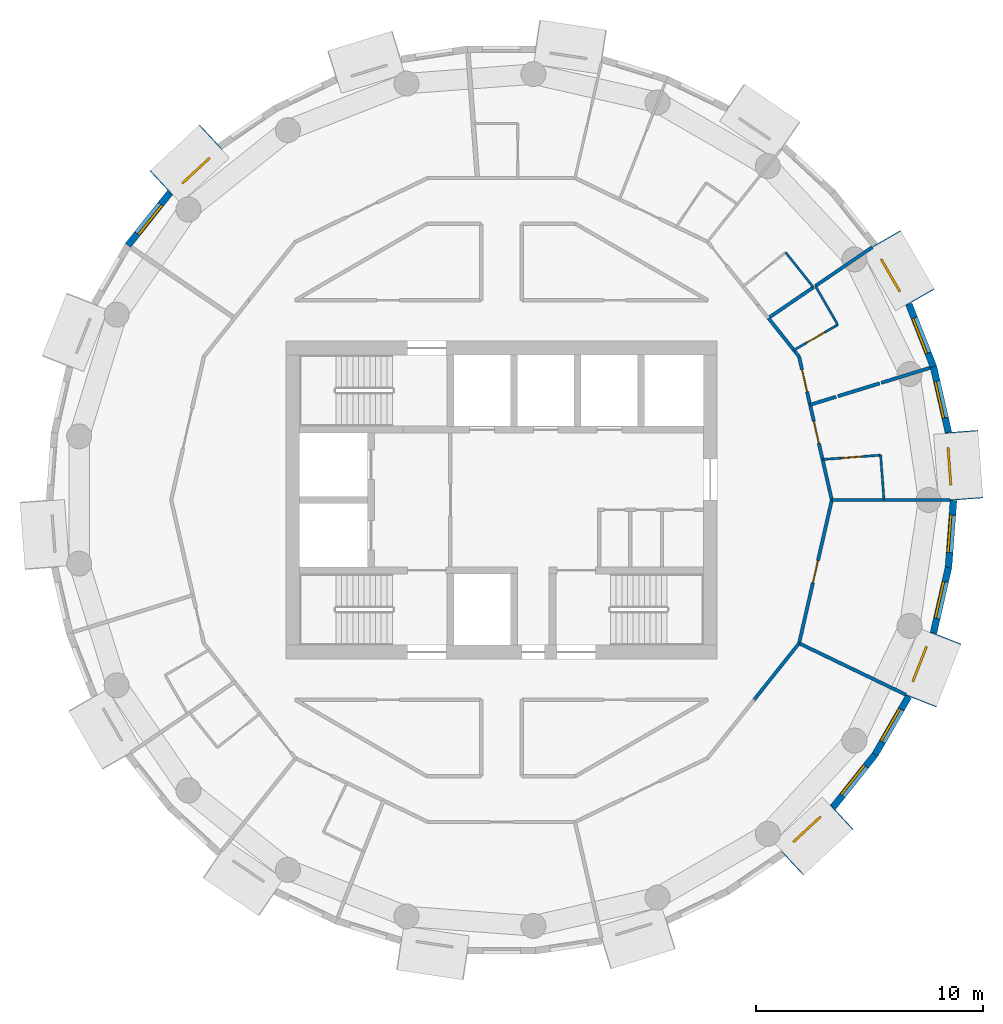
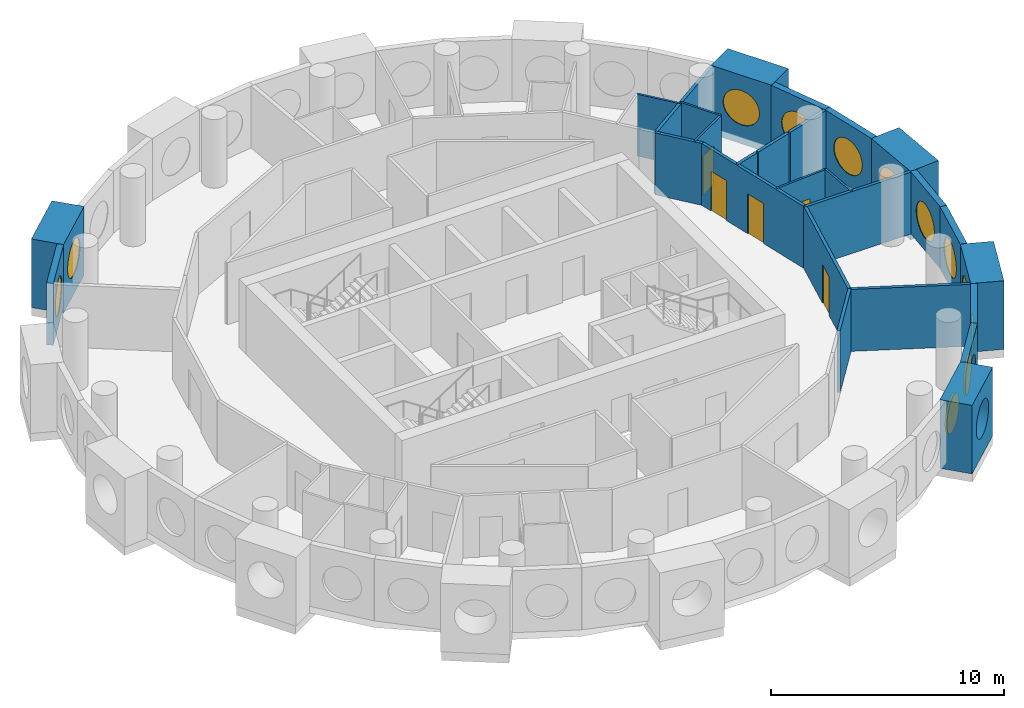
# One storey, part 10 of 13: 28 walls, 12 windows, 5 doors, 17 openings.
"""IFC4 building model written with IfcOpenShell, lengths in metres."""

from ifc_helpers import new_model, si_unit, direction, frame, frame_2d, origin, origin_2d, place, context, subcontext, project, spatial, rectangle, circle, extrude, material, layer, layer_set, type_object, element, fill, save


model = new_model("IFC4")

# Units and contexts
model_context = context("Model", 3, precision=1e-05, world=origin(), true_north=direction((0.0, 1.0)))
body_context = subcontext(model_context, "Body", "Model", "MODEL_VIEW")
ifc_project = project(units=[si_unit("LENGTHUNIT", "METRE"), si_unit("AREAUNIT", "SQUARE_METRE"), si_unit("VOLUMEUNIT", "CUBIC_METRE"), si_unit("PLANEANGLEUNIT", "RADIAN"), si_unit("MASSUNIT", "GRAM", prefix="KILO")], contexts=[model_context])

# Site, building, storey
site_placement = place(None, origin())
site = spatial("IfcSite", under=ifc_project, at=site_placement, CompositionType="ELEMENT")
building_placement = place(site_placement, origin())
building = spatial("IfcBuilding", under=site, at=building_placement, Name="Tracery Tower", CompositionType="ELEMENT")
storey_placement = place(building_placement, frame((0.0, 0.0, 252.60009765625)))
storey = spatial("IfcBuildingStorey", under=building, at=storey_placement, Name="L65", CompositionType="ELEMENT", Elevation=252.60009765625)

# Wall, opening, window
ifc_material_1 = material(Name="Precast concrete C50/60", Category="concrete")
ifc_layer_1 = layer(ifc_material_1, 1.449951171875)
ifc_layer_set_1 = layer_set([ifc_layer_1], Name="Deep-set bay unit 3000 x 3600, slab edge 350")
wall_type_1 = type_object("IfcWallType", Name="Deep-set bay unit 3000 x 3600, slab edge 350", PredefinedType="ELEMENTEDWALL", material=ifc_layer_set_1)
wall_1_placement = place(storey_placement, frame((20.49609375, 0.03173828125, -0.35009765625), z_axis=(0.0, 0.0, 1.0), x_axis=(-0.074785902127, 0.997199613339, 0.0)))
wall_1 = element("IfcWall", 1, at=wall_1_placement, inside=storey, type_object=wall_type_1, Name="Deep-set bay unit 1 at L65", PredefinedType="ELEMENTEDWALL", context=body_context, shape_type="SweptSolid", body=[
    extrude(rectangle(XDim=3.0, YDim=1.449951171875, at=frame_2d((1.5, 0.0))), origin(), (0.0, 0.0, 1.0), 3.60009765625),
])
opening_1_placement = place(wall_1_placement, frame((1.5, 0.0, 1.89990234375)))
opening_1 = element("IfcOpeningElement", 2, at=opening_1_placement, cuts=wall_1, Name="Opening WN1", PredefinedType="OPENING", context=body_context, shape_type="SweptSolid", body=[
    extrude(circle(Radius=0.9000244140625, at=origin_2d()), frame((0.0, 0.73486328125, 0.0), z_axis=(0.0, -1.0, 0.0), x_axis=(1.0, 0.0, 0.0)), (0.0, 0.0, 1.0), 1.469970703125),
])
ifc_material_2 = material(Name="Aluminium frame with tinted double glazing", Category="aluminium")
window_type = type_object("IfcWindowType", Name="Round window 1800", PartitioningType="SINGLE_PANEL", PredefinedType="WINDOW", material=ifc_material_2)
window_1_placement = place(opening_1_placement, origin())
window_1 = element("IfcWindow", 3, at=window_1_placement, inside=storey, type_object=window_type, Name="Round window 1 at L65", OverallHeight=1.800048828125, OverallWidth=1.800048828125, PartitioningType="SINGLE_PANEL", PredefinedType="WINDOW", context=body_context, shape_type="SweptSolid", body=[
    extrude(circle(Radius=0.9000244140625, at=origin_2d()), frame((0.0, 0.69482421875, 0.0), z_axis=(0.0, -1.0, 0.0), x_axis=(1.0, 0.0, 0.0)), (0.0, 0.0, 1.0), 0.10009765625),
])
fill(opening_1, window_1)

wall_2_placement = place(storey_placement, frame((18.452392578125, 8.92138671875, -0.35009765625), z_axis=(0.0, 0.0, 1.0), x_axis=(-0.499990139034, 0.866031096941, 0.0)))
wall_2 = element("IfcWall", 4, at=wall_2_placement, inside=storey, type_object=wall_type_1, Name="Deep-set bay unit 4 at L65", PredefinedType="ELEMENTEDWALL", context=body_context, shape_type="SweptSolid", body=[
    extrude(rectangle(XDim=3.0, YDim=1.449951171875, at=frame_2d((1.5, 0.0))), origin(), (0.0, 0.0, 1.0), 3.60009765625),
])
opening_2_placement = place(wall_2_placement, frame((1.5, 0.0, 1.89990234375)))
opening_2 = element("IfcOpeningElement", 5, at=opening_2_placement, cuts=wall_2, Name="Opening WN1", PredefinedType="OPENING", context=body_context, shape_type="SweptSolid", body=[
    extrude(circle(Radius=0.9000244140625, at=origin_2d()), frame((0.0, 0.73486328125, 0.0), z_axis=(0.0, -1.0, 0.0), x_axis=(1.0, 0.0, 0.0)), (0.0, 0.0, 1.0), 1.469970703125),
])
window_2_placement = place(opening_2_placement, origin())
window_2 = element("IfcWindow", 6, at=window_2_placement, inside=storey, type_object=window_type, Name="Round window 4 at L65", OverallHeight=1.800048828125, OverallWidth=1.800048828125, PartitioningType="SINGLE_PANEL", PredefinedType="WINDOW", context=body_context, shape_type="SweptSolid", body=[
    extrude(circle(Radius=0.9000244140625, at=origin_2d()), frame((0.0, 0.69482421875, 0.0), z_axis=(0.0, -1.0, 0.0), x_axis=(1.0, 0.0, 0.0)), (0.0, 0.0, 1.0), 0.10009765625),
])
fill(opening_2, window_2)

wall_3_placement = place(storey_placement, frame((-12.803955078125, 16.004638671875, -0.35009765625), z_axis=(0.0, 0.0, 1.0), x_axis=(-0.733022439167, -0.680204457261, 0.0)))
wall_3 = element("IfcWall", 7, at=wall_3_placement, inside=storey, type_object=wall_type_1, Name="Deep-set bay unit 16 at L65", PredefinedType="ELEMENTEDWALL", context=body_context, shape_type="SweptSolid", body=[
    extrude(rectangle(XDim=2.999755859375, YDim=1.449951171875, at=frame_2d((1.5, 0.0))), origin(), (0.0, 0.0, 1.0), 3.60009765625),
])
opening_3_placement = place(wall_3_placement, frame((1.5, 0.0, 1.89990234375)))
opening_3 = element("IfcOpeningElement", 8, at=opening_3_placement, cuts=wall_3, Name="Opening WN1", PredefinedType="OPENING", context=body_context, shape_type="SweptSolid", body=[
    extrude(circle(Radius=0.9000244140625, at=origin_2d()), frame((0.0, 0.73486328125, 0.0), z_axis=(0.0, -1.0, 0.0), x_axis=(1.0, 0.0, 0.0)), (0.0, 0.0, 1.0), 1.469970703125),
])
window_3_placement = place(opening_3_placement, origin())
window_3 = element("IfcWindow", 9, at=window_3_placement, inside=storey, type_object=window_type, Name="Round window 16 at L65", OverallHeight=1.800048828125, OverallWidth=1.800048828125, PartitioningType="SINGLE_PANEL", PredefinedType="WINDOW", context=body_context, shape_type="SweptSolid", body=[
    extrude(circle(Radius=0.9000244140625, at=origin_2d()), frame((0.0, 0.69482421875, 0.0), z_axis=(0.0, -1.0, 0.0), x_axis=(1.0, 0.0, 0.0)), (0.0, 0.0, 1.0), 0.10009765625),
])
fill(opening_3, window_3)

wall_4_placement = place(storey_placement, frame((12.803955078125, -16.004638671875, -0.35009765625), z_axis=(0.0, 0.0, 1.0), x_axis=(0.733022439167, 0.680204457261, 0.0)))
wall_4 = element("IfcWall", 10, at=wall_4_placement, inside=storey, type_object=wall_type_1, Name="Deep-set bay unit 37 at L65", PredefinedType="ELEMENTEDWALL", context=body_context, shape_type="SweptSolid", body=[
    extrude(rectangle(XDim=2.999755859375, YDim=1.449951171875, at=frame_2d((1.5, 0.0))), origin(), (0.0, 0.0, 1.0), 3.60009765625),
])
opening_4_placement = place(wall_4_placement, frame((1.5, 0.0, 1.89990234375)))
opening_4 = element("IfcOpeningElement", 11, at=opening_4_placement, cuts=wall_4, Name="Opening WN1", PredefinedType="OPENING", context=body_context, shape_type="SweptSolid", body=[
    extrude(circle(Radius=0.9000244140625, at=origin_2d()), frame((0.0, 0.73486328125, 0.0), z_axis=(0.0, -1.0, 0.0), x_axis=(1.0, 0.0, 0.0)), (0.0, 0.0, 1.0), 1.469970703125),
])
window_4_placement = place(opening_4_placement, origin())
window_4 = element("IfcWindow", 12, at=window_4_placement, inside=storey, type_object=window_type, Name="Round window 37 at L65", OverallHeight=1.800048828125, OverallWidth=1.800048828125, PartitioningType="SINGLE_PANEL", PredefinedType="WINDOW", context=body_context, shape_type="SweptSolid", body=[
    extrude(circle(Radius=0.9000244140625, at=origin_2d()), frame((0.0, 0.69482421875, 0.0), z_axis=(0.0, -1.0, 0.0), x_axis=(1.0, 0.0, 0.0)), (0.0, 0.0, 1.0), 0.10009765625),
])
fill(opening_4, window_4)

wall_5_placement = place(storey_placement, frame((18.47998046875, -8.8642578125, -0.35009765625), z_axis=(0.0, 0.0, 1.0), x_axis=(0.36537792632, 0.93085926485, 0.0)))
wall_5 = element("IfcWall", 13, at=wall_5_placement, inside=storey, type_object=wall_type_1, Name="Deep-set bay unit 40 at L65", PredefinedType="ELEMENTEDWALL", context=body_context, shape_type="SweptSolid", body=[
    extrude(rectangle(XDim=3.000244140625, YDim=1.449951171875, at=frame_2d((1.5, 0.0))), origin(), (0.0, 0.0, 1.0), 3.60009765625),
])
opening_5_placement = place(wall_5_placement, frame((1.5, 0.0, 1.89990234375)))
opening_5 = element("IfcOpeningElement", 14, at=opening_5_placement, cuts=wall_5, Name="Opening WN1", PredefinedType="OPENING", context=body_context, shape_type="SweptSolid", body=[
    extrude(circle(Radius=0.9000244140625, at=origin_2d()), frame((0.0, 0.73486328125, 0.0), z_axis=(0.0, -1.0, 0.0), x_axis=(1.0, 0.0, 0.0)), (0.0, 0.0, 1.0), 1.469970703125),
])
window_5_placement = place(opening_5_placement, origin())
window_5 = element("IfcWindow", 15, at=window_5_placement, inside=storey, type_object=window_type, Name="Round window 40 at L65", OverallHeight=1.800048828125, OverallWidth=1.800048828125, PartitioningType="SINGLE_PANEL", PredefinedType="WINDOW", context=body_context, shape_type="SweptSolid", body=[
    extrude(circle(Radius=0.9000244140625, at=origin_2d()), frame((0.0, 0.69482421875, 0.0), z_axis=(0.0, -1.0, 0.0), x_axis=(1.0, 0.0, 0.0)), (0.0, 0.0, 1.0), 0.10009765625),
])
fill(opening_5, window_5)

ifc_material_3 = material(Name="Precast concrete C50/60", Category="concrete")
ifc_layer_2 = layer(ifc_material_3, 0.300048828125)
ifc_layer_set_2 = layer_set([ifc_layer_2], Name="Facade panel 3000 x 3250")
wall_type_2 = type_object("IfcWallType", Name="Facade panel 3000 x 3250", PredefinedType="SOLIDWALL", material=ifc_layer_set_2)
wall_6_placement = place(storey_placement, frame((19.69580078125, 2.984130859375, 0.0), z_axis=(0.0, 0.0, 1.0), x_axis=(-0.222529389789, 0.974925982155, 0.0)))
wall_6 = element("IfcWall", 16, at=wall_6_placement, inside=storey, type_object=wall_type_2, Name="Facade panel 2 at L65", PredefinedType="SOLIDWALL", context=body_context, shape_type="SweptSolid", body=[
    extrude(rectangle(XDim=2.962158203125, YDim=0.300048828125, at=frame_2d((1.48095703125, 0.0))), origin(), (0.0, 0.0, 1.0), 3.25),
])
opening_6_placement = place(wall_6_placement, frame((1.48095703125, 0.0, 1.5498046875)))
opening_6 = element("IfcOpeningElement", 17, at=opening_6_placement, cuts=wall_6, Name="Opening WN1", PredefinedType="OPENING", context=body_context, shape_type="SweptSolid", body=[
    extrude(circle(Radius=0.9000244140625, at=origin_2d()), frame((0.0, 0.159912109375, 0.0), z_axis=(0.0, -1.0, 0.0), x_axis=(1.0, 0.0, 0.0)), (0.0, 0.0, 1.0), 0.320068359375),
])
window_6_placement = place(opening_6_placement, origin())
window_6 = element("IfcWindow", 18, at=window_6_placement, inside=storey, type_object=window_type, Name="Round window 2 at L65", OverallHeight=1.800048828125, OverallWidth=1.800048828125, PartitioningType="SINGLE_PANEL", PredefinedType="WINDOW", context=body_context, shape_type="SweptSolid", body=[
    extrude(circle(Radius=0.9000244140625, at=origin_2d()), frame((0.0, 0.1201171875, 0.0), z_axis=(0.0, -1.0, 0.0), x_axis=(1.0, 0.0, 0.0)), (0.0, 0.0, 1.0), 0.10009765625),
])
fill(opening_6, window_6)

wall_7_placement = place(storey_placement, frame((19.03662109375, 5.8720703125, 0.0), z_axis=(0.0, 0.0, 1.0), x_axis=(-0.36530043032, 0.930889679612, 0.0)))
wall_7 = element("IfcWall", 19, at=wall_7_placement, inside=storey, type_object=wall_type_2, Name="Facade panel 3 at L65", PredefinedType="SOLIDWALL", context=body_context, shape_type="SweptSolid", body=[
    extrude(rectangle(XDim=2.9619140625, YDim=0.300048828125, at=frame_2d((1.48095703125, 0.0))), origin(), (0.0, 0.0, 1.0), 3.25),
])
opening_7_placement = place(wall_7_placement, frame((1.48095703125, 0.0, 1.5498046875)))
opening_7 = element("IfcOpeningElement", 20, at=opening_7_placement, cuts=wall_7, Name="Opening WN1", PredefinedType="OPENING", context=body_context, shape_type="SweptSolid", body=[
    extrude(circle(Radius=0.9000244140625, at=origin_2d()), frame((0.0, 0.159912109375, 0.0), z_axis=(0.0, -1.0, 0.0), x_axis=(1.0, 0.0, 0.0)), (0.0, 0.0, 1.0), 0.320068359375),
])
window_7_placement = place(opening_7_placement, origin())
window_7 = element("IfcWindow", 21, at=window_7_placement, inside=storey, type_object=window_type, Name="Round window 3 at L65", OverallHeight=1.800048828125, OverallWidth=1.800048828125, PartitioningType="SINGLE_PANEL", PredefinedType="WINDOW", context=body_context, shape_type="SweptSolid", body=[
    extrude(circle(Radius=0.9000244140625, at=origin_2d()), frame((0.0, 0.1201171875, 0.0), z_axis=(0.0, -1.0, 0.0), x_axis=(1.0, 0.0, 0.0)), (0.0, 0.0, 1.0), 0.10009765625),
])
fill(opening_7, window_7)

wall_8_placement = place(storey_placement, frame((-14.61328125, 13.538330078125, 0.0), z_axis=(0.0, 0.0, 1.0), x_axis=(-0.623498236992, -0.781824755599, 0.0)))
wall_8 = element("IfcWall", 22, at=wall_8_placement, inside=storey, type_object=wall_type_2, Name="Facade panel 17 at L65", PredefinedType="SOLIDWALL", context=body_context, shape_type="SweptSolid", body=[
    extrude(rectangle(XDim=2.962158203125, YDim=0.300048828125, at=frame_2d((1.48095703125, 0.0))), origin(), (0.0, 0.0, 1.0), 3.25),
])
opening_8_placement = place(wall_8_placement, frame((1.48095703125, 0.0, 1.5498046875)))
opening_8 = element("IfcOpeningElement", 23, at=opening_8_placement, cuts=wall_8, Name="Opening WN1", PredefinedType="OPENING", context=body_context, shape_type="SweptSolid", body=[
    extrude(circle(Radius=0.9000244140625, at=origin_2d()), frame((0.0, 0.159912109375, 0.0), z_axis=(0.0, -1.0, 0.0), x_axis=(1.0, 0.0, 0.0)), (0.0, 0.0, 1.0), 0.320068359375),
])
window_8_placement = place(opening_8_placement, origin())
window_8 = element("IfcWindow", 24, at=window_8_placement, inside=storey, type_object=window_type, Name="Round window 17 at L65", OverallHeight=1.800048828125, OverallWidth=1.800048828125, PartitioningType="SINGLE_PANEL", PredefinedType="WINDOW", context=body_context, shape_type="SweptSolid", body=[
    extrude(circle(Radius=0.9000244140625, at=origin_2d()), frame((0.0, 0.1201171875, 0.0), z_axis=(0.0, -1.0, 0.0), x_axis=(1.0, 0.0, 0.0)), (0.0, 0.0, 1.0), 0.10009765625),
])
fill(opening_8, window_8)

wall_9_placement = place(storey_placement, frame((14.61328125, -13.538330078125, 0.0), z_axis=(0.0, 0.0, 1.0), x_axis=(0.623498236992, 0.781824755599, 0.0)))
wall_9 = element("IfcWall", 25, at=wall_9_placement, inside=storey, type_object=wall_type_2, Name="Facade panel 38 at L65", PredefinedType="SOLIDWALL", context=body_context, shape_type="SweptSolid", body=[
    extrude(rectangle(XDim=2.962158203125, YDim=0.300048828125, at=frame_2d((1.48095703125, 0.0))), origin(), (0.0, 0.0, 1.0), 3.25),
])
opening_9_placement = place(wall_9_placement, frame((1.48095703125, 0.0, 1.5498046875)))
opening_9 = element("IfcOpeningElement", 26, at=opening_9_placement, cuts=wall_9, Name="Opening WN1", PredefinedType="OPENING", context=body_context, shape_type="SweptSolid", body=[
    extrude(circle(Radius=0.9000244140625, at=origin_2d()), frame((0.0, 0.159912109375, 0.0), z_axis=(0.0, -1.0, 0.0), x_axis=(1.0, 0.0, 0.0)), (0.0, 0.0, 1.0), 0.320068359375),
])
window_9_placement = place(opening_9_placement, origin())
window_9 = element("IfcWindow", 27, at=window_9_placement, inside=storey, type_object=window_type, Name="Round window 38 at L65", OverallHeight=1.800048828125, OverallWidth=1.800048828125, PartitioningType="SINGLE_PANEL", PredefinedType="WINDOW", context=body_context, shape_type="SweptSolid", body=[
    extrude(circle(Radius=0.9000244140625, at=origin_2d()), frame((0.0, 0.1201171875, 0.0), z_axis=(0.0, -1.0, 0.0), x_axis=(1.0, 0.0, 0.0)), (0.0, 0.0, 1.0), 0.10009765625),
])
fill(opening_9, window_9)

wall_10_placement = place(storey_placement, frame((16.460205078125, -11.222412109375, 0.0), z_axis=(0.0, 0.0, 1.0), x_axis=(0.499950756475, 0.86605383268, 0.0)))
wall_10 = element("IfcWall", 28, at=wall_10_placement, inside=storey, type_object=wall_type_2, Name="Facade panel 39 at L65", PredefinedType="SOLIDWALL", context=body_context, shape_type="SweptSolid", body=[
    extrude(rectangle(XDim=2.962158203125, YDim=0.300048828125, at=frame_2d((1.48095703125, 0.0))), origin(), (0.0, 0.0, 1.0), 3.25),
])
opening_10_placement = place(wall_10_placement, frame((1.48095703125, 0.0, 1.5498046875)))
opening_10 = element("IfcOpeningElement", 29, at=opening_10_placement, cuts=wall_10, Name="Opening WN1", PredefinedType="OPENING", context=body_context, shape_type="SweptSolid", body=[
    extrude(circle(Radius=0.9000244140625, at=origin_2d()), frame((0.0, 0.159912109375, 0.0), z_axis=(0.0, -1.0, 0.0), x_axis=(1.0, 0.0, 0.0)), (0.0, 0.0, 1.0), 0.320068359375),
])
window_10_placement = place(opening_10_placement, origin())
window_10 = element("IfcWindow", 30, at=window_10_placement, inside=storey, type_object=window_type, Name="Round window 39 at L65", OverallHeight=1.800048828125, OverallWidth=1.800048828125, PartitioningType="SINGLE_PANEL", PredefinedType="WINDOW", context=body_context, shape_type="SweptSolid", body=[
    extrude(circle(Radius=0.9000244140625, at=origin_2d()), frame((0.0, 0.1201171875, 0.0), z_axis=(0.0, -1.0, 0.0), x_axis=(1.0, 0.0, 0.0)), (0.0, 0.0, 1.0), 0.10009765625),
])
fill(opening_10, window_10)

wall_11_placement = place(storey_placement, frame((19.0400390625, -5.857177734375, 0.0), z_axis=(0.0, 0.0, 1.0), x_axis=(0.222529389789, 0.974925982155, 0.0)))
wall_11 = element("IfcWall", 31, at=wall_11_placement, inside=storey, type_object=wall_type_2, Name="Facade panel 41 at L65", PredefinedType="SOLIDWALL", context=body_context, shape_type="SweptSolid", body=[
    extrude(rectangle(XDim=2.962158203125, YDim=0.300048828125, at=frame_2d((1.48095703125, 0.0))), origin(), (0.0, 0.0, 1.0), 3.25),
])
opening_11_placement = place(wall_11_placement, frame((1.48095703125, 0.0, 1.5498046875)))
opening_11 = element("IfcOpeningElement", 32, at=opening_11_placement, cuts=wall_11, Name="Opening WN1", PredefinedType="OPENING", context=body_context, shape_type="SweptSolid", body=[
    extrude(circle(Radius=0.9000244140625, at=origin_2d()), frame((0.0, 0.159912109375, 0.0), z_axis=(0.0, -1.0, 0.0), x_axis=(1.0, 0.0, 0.0)), (0.0, 0.0, 1.0), 0.320068359375),
])
window_11_placement = place(opening_11_placement, origin())
window_11 = element("IfcWindow", 33, at=window_11_placement, inside=storey, type_object=window_type, Name="Round window 41 at L65", OverallHeight=1.800048828125, OverallWidth=1.800048828125, PartitioningType="SINGLE_PANEL", PredefinedType="WINDOW", context=body_context, shape_type="SweptSolid", body=[
    extrude(circle(Radius=0.9000244140625, at=origin_2d()), frame((0.0, 0.1201171875, 0.0), z_axis=(0.0, -1.0, 0.0), x_axis=(1.0, 0.0, 0.0)), (0.0, 0.0, 1.0), 0.10009765625),
])
fill(opening_11, window_11)

wall_12_placement = place(storey_placement, frame((19.69921875, -2.96923828125, 0.0), z_axis=(0.0, 0.0, 1.0), x_axis=(0.07474897196, 0.997202382263, 0.0)))
wall_12 = element("IfcWall", 34, at=wall_12_placement, inside=storey, type_object=wall_type_2, Name="Facade panel 42 at L65", PredefinedType="SOLIDWALL", context=body_context, shape_type="SweptSolid", body=[
    extrude(rectangle(XDim=2.96240234375, YDim=0.300048828125, at=frame_2d((1.481201171875, 0.0))), origin(), (0.0, 0.0, 1.0), 3.25),
])
opening_12_placement = place(wall_12_placement, frame((1.48095703125, 0.0, 1.5498046875)))
opening_12 = element("IfcOpeningElement", 35, at=opening_12_placement, cuts=wall_12, Name="Opening WN1", PredefinedType="OPENING", context=body_context, shape_type="SweptSolid", body=[
    extrude(circle(Radius=0.9000244140625, at=origin_2d()), frame((0.0, 0.159912109375, 0.0), z_axis=(0.0, -1.0, 0.0), x_axis=(1.0, 0.0, 0.0)), (0.0, 0.0, 1.0), 0.320068359375),
])
window_12_placement = place(opening_12_placement, origin())
window_12 = element("IfcWindow", 36, at=window_12_placement, inside=storey, type_object=window_type, Name="Round window 42 at L65", OverallHeight=1.800048828125, OverallWidth=1.800048828125, PartitioningType="SINGLE_PANEL", PredefinedType="WINDOW", context=body_context, shape_type="SweptSolid", body=[
    extrude(circle(Radius=0.9000244140625, at=origin_2d()), frame((0.0, 0.1201171875, 0.0), z_axis=(0.0, -1.0, 0.0), x_axis=(1.0, 0.0, 0.0)), (0.0, 0.0, 1.0), 0.10009765625),
])
fill(opening_12, window_12)

# Wall
ifc_material_4 = material(Name="Plasterboard on steel studs", Category="steel")
ifc_layer_3 = layer(ifc_material_4, 0.10009765625)
ifc_layer_set_3 = layer_set([ifc_layer_3], Name="Partition 100 wet wall")
wall_type_3 = type_object("IfcWallType", Name="Partition 100 wet wall", PredefinedType="PARTITIONING", material=ifc_layer_set_3)
wall_13_placement = place(storey_placement, frame((16.7080078125, 1.97705078125, 0.0), z_axis=(0.0, 0.0, 1.0), x_axis=(0.074624634103, -0.997211694669, 0.0)))
element("IfcWall", 37, at=wall_13_placement, inside=storey, type_object=wall_type_3, Name="Wet wall RC3-047", PredefinedType="PARTITIONING", context=body_context, shape_type="SweptSolid", body=[
    extrude(rectangle(XDim=1.982666015625, YDim=0.10009765625, at=frame_2d((0.9912109375, 0.0))), origin(), (0.0, 0.0, 1.0), 3.25),
])

# Wall, opening, door
wall_14_placement = place(storey_placement, frame((14.14892578125, 1.784912109375, 0.0), z_axis=(0.0, 0.0, 1.0), x_axis=(0.997193275785, 0.074870359477, 0.0)))
wall_14 = element("IfcWall", 38, at=wall_14_placement, inside=storey, type_object=wall_type_3, Name="Wet wall RC3-048", PredefinedType="PARTITIONING", context=body_context, shape_type="SweptSolid", body=[
    extrude(rectangle(XDim=2.56640625, YDim=0.10009765625, at=frame_2d((1.283203125, 0.0))), origin(), (0.0, 0.0, 1.0), 3.25),
])
opening_13_placement = place(wall_14_placement, frame((0.833251953125, 0.0, 0.0)))
opening_13 = element("IfcOpeningElement", 39, at=opening_13_placement, cuts=wall_14, Name="Opening RC3-05", PredefinedType="OPENING", context=body_context, shape_type="SweptSolid", body=[
    extrude(rectangle(XDim=0.89990234375, YDim=2.0400390625, at=frame_2d((0.449951171875, 1.02001953125))), frame((0.0, 0.050048828125, 0.0), z_axis=(0.0, -1.0, 0.0), x_axis=(1.0, 0.0, 0.0)), (0.0, 0.0, 1.0), 0.10009765625),
])
ifc_material_5 = material(Name="Timber door leaf", Category="wood")
door_type_1 = type_object("IfcDoorType", Name="Door en-suite 900", OperationType="NOTDEFINED", PredefinedType="DOOR", material=ifc_material_5)
door_1_placement = place(opening_13_placement, origin())
door_1 = element("IfcDoor", 40, at=door_1_placement, inside=storey, type_object=door_type_1, Name="En-suite door RC3-05", OperationType="SINGLE_SWING_LEFT", OverallHeight=2.0400390625, OverallWidth=0.89990234375, PredefinedType="DOOR", context=body_context, shape_type="SweptSolid", body=[
    extrude(rectangle(XDim=0.89990234375, YDim=2.0400390625, at=frame_2d((0.449951171875, 1.02001953125))), frame((0.0, 0.02490234375, 0.0), z_axis=(0.0, -1.0, 0.0), x_axis=(1.0, 0.0, 0.0)), (0.0, 0.0, 1.0), 0.050048828125),
])
fill(opening_13, door_1)

wall_15_placement = place(storey_placement, frame((12.885009765625, 6.60498046875, 0.0), z_axis=(0.0, 0.0, 1.0), x_axis=(0.866076416361, 0.499911633214, 0.0)))
wall_15 = element("IfcWall", 41, at=wall_15_placement, inside=storey, type_object=wall_type_3, Name="Wet wall RC3-053", PredefinedType="PARTITIONING", context=body_context, shape_type="SweptSolid", body=[
    extrude(rectangle(XDim=2.234375, YDim=0.10009765625, at=frame_2d((1.1171875, 0.0))), origin(), (0.0, 0.0, 1.0), 3.25),
])
opening_14_placement = place(wall_15_placement, frame((0.6669921875, 0.0, 0.0)))
opening_14 = element("IfcOpeningElement", 42, at=opening_14_placement, cuts=wall_15, Name="Opening RC3-07", PredefinedType="OPENING", context=body_context, shape_type="SweptSolid", body=[
    extrude(rectangle(XDim=0.89990234375, YDim=2.0400390625, at=frame_2d((0.449951171875, 1.02001953125))), frame((0.0, 0.050048828125, 0.0), z_axis=(0.0, -1.0, 0.0), x_axis=(1.0, 0.0, 0.0)), (0.0, 0.0, 1.0), 0.10009765625),
])
door_2_placement = place(opening_14_placement, origin())
door_2 = element("IfcDoor", 43, at=door_2_placement, inside=storey, type_object=door_type_1, Name="En-suite door RC3-07", OperationType="SINGLE_SWING_LEFT", OverallHeight=2.0400390625, OverallWidth=0.89990234375, PredefinedType="DOOR", context=body_context, shape_type="SweptSolid", body=[
    extrude(rectangle(XDim=0.89990234375, YDim=2.0400390625, at=frame_2d((0.449951171875, 1.02001953125))), frame((0.0, 0.02490234375, 0.0), z_axis=(0.0, -1.0, 0.0), x_axis=(1.0, 0.0, 0.0)), (0.0, 0.0, 1.0), 0.050048828125),
])
fill(opening_14, door_2)

# Walls
wall_16_placement = place(storey_placement, frame((13.8330078125, 9.430908203125, 0.0), z_axis=(0.0, 0.0, 1.0), x_axis=(0.500143626598, -0.865942465048, 0.0)))
element("IfcWall", 44, at=wall_16_placement, inside=storey, type_object=wall_type_3, Name="Wet wall RC3-054", PredefinedType="PARTITIONING", context=body_context, shape_type="SweptSolid", body=[
    extrude(rectangle(XDim=1.9736328125, YDim=0.10009765625, at=frame_2d((0.98681640625, 0.0))), origin(), (0.0, 0.0, 1.0), 3.25),
])
wall_17_placement = place(storey_placement, frame((12.52197265625, 10.909912109375, 0.0), z_axis=(0.0, 0.0, 1.0), x_axis=(0.623330716607, -0.781958322249, 0.0)))
element("IfcWall", 45, at=wall_17_placement, inside=storey, type_object=wall_type_3, Name="Wet wall RC3-063", PredefinedType="PARTITIONING", context=body_context, shape_type="SweptSolid", body=[
    extrude(rectangle(XDim=1.96533203125, YDim=0.10009765625, at=frame_2d((0.982666015625, 0.0))), origin(), (0.0, 0.0, 1.0), 3.25),
])
ifc_material_6 = material(Name="Plasterboard on steel studs", Category="steel")
ifc_layer_4 = layer(ifc_material_6, 0.14990234375)
ifc_layer_set_4 = layer_set([ifc_layer_4], Name="Partition 150 acoustic unit wall")
wall_type_4 = type_object("IfcWallType", Name="Partition 150 acoustic unit wall", PredefinedType="PARTITIONING", material=ifc_layer_set_4)
wall_18_placement = place(storey_placement, frame((13.59912109375, 4.195068359375, 0.0), z_axis=(0.0, 0.0, 1.0), x_axis=(0.955506647746, 0.294969568115, 0.0)))
element("IfcWall", 46, at=wall_18_placement, inside=storey, type_object=wall_type_4, Name="Unit wall RC3-049", PredefinedType="PARTITIONING", context=body_context, shape_type="SweptSolid", body=[
    extrude(rectangle(XDim=1.203369140625, YDim=0.14990234375, at=frame_2d((0.6015625, 0.0))), origin(), (0.0, 0.0, 1.0), 3.25),
])
wall_19_placement = place(storey_placement, frame((16.739013671875, 5.1640625, 0.0), z_axis=(0.0, 0.0, 1.0), x_axis=(0.955650111791, 0.294504437715, 0.0)))
element("IfcWall", 47, at=wall_19_placement, inside=storey, type_object=wall_type_4, Name="Unit wall RC3-050", PredefinedType="PARTITIONING", context=body_context, shape_type="SweptSolid", body=[
    extrude(rectangle(XDim=2.25390625, YDim=0.14990234375, at=frame_2d((1.126953125, 0.0))), origin(), (0.0, 0.0, 1.0), 3.25),
])
wall_20_placement = place(storey_placement, frame((14.556884765625, 0.0, 0.0), z_axis=(0.0, 0.0, 1.0), x_axis=(1.0, 0.0, 0.0)))
element("IfcWall", 48, at=wall_20_placement, inside=storey, type_object=wall_type_4, Name="Unit wall RC3-051", PredefinedType="PARTITIONING", context=body_context, shape_type="SweptSolid", body=[
    extrude(rectangle(XDim=5.214111328125, YDim=0.14990234375, at=frame_2d((2.60693359375, 0.0))), origin(), (0.0, 0.0, 1.0), 3.25),
])
wall_21_placement = place(storey_placement, frame((14.822998046875, 4.572998046875, 0.0), z_axis=(0.0, 0.0, 1.0), x_axis=(0.955628343972, 0.294575063773, 0.0)))
element("IfcWall", 49, at=wall_21_placement, inside=storey, type_object=wall_type_4, Name="Unit wall RC3-052", PredefinedType="PARTITIONING", context=body_context, shape_type="SweptSolid", body=[
    extrude(rectangle(XDim=1.9287109375, YDim=0.14990234375, at=frame_2d((0.96435546875, 0.0))), origin(), (0.0, 0.0, 1.0), 3.25),
])
wall_22_placement = place(storey_placement, frame((13.8330078125, 9.430908203125, 0.0), z_axis=(0.0, 0.0, 1.0), x_axis=(0.826152320289, 0.56344684193, 0.0)))
element("IfcWall", 50, at=wall_22_placement, inside=storey, type_object=wall_type_4, Name="Unit wall RC3-055", PredefinedType="PARTITIONING", context=body_context, shape_type="SweptSolid", body=[
    extrude(rectangle(XDim=3.029541015625, YDim=0.14990234375, at=frame_2d((1.5146484375, 0.0))), origin(), (0.0, 0.0, 1.0), 3.25),
])
wall_23_placement = place(storey_placement, frame((11.759033203125, 8.01708984375, 0.0), z_axis=(0.0, 0.0, 1.0), x_axis=(0.826143746222, 0.563459413426, 0.0)))
element("IfcWall", 51, at=wall_23_placement, inside=storey, type_object=wall_type_4, Name="Unit wall RC3-056", PredefinedType="PARTITIONING", context=body_context, shape_type="SweptSolid", body=[
    extrude(rectangle(XDim=2.409912109375, YDim=0.14990234375, at=frame_2d((1.205078125, 0.0))), origin(), (0.0, 0.0, 1.0), 3.25),
])
wall_24_placement = place(storey_placement, frame((13.114990234375, -6.31591796875, 0.0), z_axis=(0.0, 0.0, 1.0), x_axis=(0.901004381064, -0.433809987557, 0.0)))
element("IfcWall", 52, at=wall_24_placement, inside=storey, type_object=wall_type_4, Name="Unit wall RC3-081", PredefinedType="PARTITIONING", context=body_context, shape_type="SweptSolid", body=[
    extrude(rectangle(XDim=5.214111328125, YDim=0.14990234375, at=frame_2d((2.60693359375, 0.0))), origin(), (0.0, 0.0, 1.0), 3.25),
])

# Wall, openings, doors
ifc_material_7 = material(Name="Plasterboard on steel studs", Category="steel")
ifc_layer_5 = layer(ifc_material_7, 0.14990234375)
ifc_layer_set_5 = layer_set([ifc_layer_5], Name="Partition 150 corridor wall")
wall_type_5 = type_object("IfcWallType", Name="Partition 150 corridor wall", PredefinedType="PARTITIONING", material=ifc_layer_set_5)
wall_25_placement = place(storey_placement, frame((13.11474609375, 6.31591796875, 0.0), z_axis=(0.0, 0.0, 1.0), x_axis=(0.222568978642, -0.97491694505, 0.0)))
wall_25 = element("IfcWall", 53, at=wall_25_placement, inside=storey, type_object=wall_type_5, Name="Corridor wall RC3-021", PredefinedType="PARTITIONING", context=body_context, shape_type="SweptSolid", body=[
    extrude(rectangle(XDim=6.478515625, YDim=0.14990234375, at=frame_2d((3.2392578125, 0.0))), origin(), (0.0, 0.0, 1.0), 3.25),
])
opening_15_placement = place(wall_25_placement, frame((2.911376953125, 0.0, 0.0)))
opening_15 = element("IfcOpeningElement", 54, at=opening_15_placement, cuts=wall_25, Name="Opening RC3-06", PredefinedType="OPENING", context=body_context, shape_type="SweptSolid", body=[
    extrude(rectangle(XDim=1.0, YDim=2.10009765625, at=frame_2d((0.5, 1.050048828125))), frame((0.0, 0.074951171875, 0.0), z_axis=(0.0, -1.0, 0.0), x_axis=(1.0, 0.0, 0.0)), (0.0, 0.0, 1.0), 0.14990234375),
])
opening_16_placement = place(wall_25_placement, frame((0.590087890625, 0.0, 0.0)))
opening_16 = element("IfcOpeningElement", 55, at=opening_16_placement, cuts=wall_25, Name="Opening RC3-08", PredefinedType="OPENING", context=body_context, shape_type="SweptSolid", body=[
    extrude(rectangle(XDim=1.0, YDim=2.10009765625, at=frame_2d((0.5, 1.050048828125))), frame((0.0, 0.074951171875, 0.0), z_axis=(0.0, -1.0, 0.0), x_axis=(1.0, 0.0, 0.0)), (0.0, 0.0, 1.0), 0.14990234375),
])
ifc_material_8 = material(Name="Timber door leaf", Category="wood")
door_type_2 = type_object("IfcDoorType", Name="Door unit entrance 1000", OperationType="NOTDEFINED", PredefinedType="DOOR", material=ifc_material_8)
door_3_placement = place(opening_15_placement, origin())
door_3 = element("IfcDoor", 56, at=door_3_placement, inside=storey, type_object=door_type_2, Name="Unit entrance door RC3-06", OperationType="SINGLE_SWING_LEFT", OverallHeight=2.10009765625, OverallWidth=1.0, PredefinedType="DOOR", context=body_context, shape_type="SweptSolid", body=[
    extrude(rectangle(XDim=1.0, YDim=2.10009765625, at=frame_2d((0.5, 1.050048828125))), frame((0.0, 0.02490234375, 0.0), z_axis=(0.0, -1.0, 0.0), x_axis=(1.0, 0.0, 0.0)), (0.0, 0.0, 1.0), 0.050048828125),
])
fill(opening_15, door_3)
door_4_placement = place(opening_16_placement, origin())
door_4 = element("IfcDoor", 57, at=door_4_placement, inside=storey, type_object=door_type_2, Name="Unit entrance door RC3-08", OperationType="SINGLE_SWING_RIGHT", OverallHeight=2.10009765625, OverallWidth=1.0, PredefinedType="DOOR", context=body_context, shape_type="SweptSolid", body=[
    extrude(rectangle(XDim=1.0, YDim=2.10009765625, at=frame_2d((0.5, 1.050048828125))), frame((0.0, 0.02490234375, 0.0), z_axis=(0.0, -1.0, 0.0), x_axis=(1.0, 0.0, 0.0)), (0.0, 0.0, 1.0), 0.050048828125),
])
fill(opening_16, door_4)

# Walls
wall_26_placement = place(storey_placement, frame((11.759521484375, 8.02197265625, 0.0), z_axis=(0.0, 0.0, 1.0), x_axis=(0.62206805366, -0.782963177049, 0.0)))
element("IfcWall", 58, at=wall_26_placement, inside=storey, type_object=wall_type_5, Name="Corridor wall RC3-022", PredefinedType="PARTITIONING", context=body_context, shape_type="SweptSolid", body=[
    extrude(rectangle(XDim=2.178955078125, YDim=0.14990234375, at=frame_2d((1.08935546875, 0.0))), origin(), (0.0, 0.0, 1.0), 3.25),
])
wall_27_placement = place(storey_placement, frame((11.134033203125, -8.800048828125, 0.0), z_axis=(0.0, 0.0, 1.0), x_axis=(0.623476099415, 0.781842409606, 0.0)))
element("IfcWall", 59, at=wall_27_placement, inside=storey, type_object=wall_type_5, Name="Corridor wall RC3-024", PredefinedType="PARTITIONING", context=body_context, shape_type="SweptSolid", body=[
    extrude(rectangle(XDim=3.17724609375, YDim=0.14990234375, at=frame_2d((1.588623046875, 0.0))), origin(), (0.0, 0.0, 1.0), 3.25),
])

# Wall, opening, door
wall_28_placement = place(storey_placement, frame((13.114990234375, -6.31591796875, 0.0), z_axis=(0.0, 0.0, 1.0), x_axis=(0.222568978642, 0.97491694505, 0.0)))
wall_28 = element("IfcWall", 60, at=wall_28_placement, inside=storey, type_object=wall_type_5, Name="Corridor wall RC3-025", PredefinedType="PARTITIONING", context=body_context, shape_type="SweptSolid", body=[
    extrude(rectangle(XDim=6.478515625, YDim=0.14990234375, at=frame_2d((3.2392578125, 0.0))), origin(), (0.0, 0.0, 1.0), 3.25),
])
opening_17_placement = place(wall_28_placement, frame((2.739501953125, 0.0, 0.0)))
opening_17 = element("IfcOpeningElement", 61, at=opening_17_placement, cuts=wall_28, Name="Opening RC3-26", PredefinedType="OPENING", context=body_context, shape_type="SweptSolid", body=[
    extrude(rectangle(XDim=1.0, YDim=2.0400390625, at=frame_2d((0.5, 1.02001953125))), frame((0.0, 0.074951171875, 0.0), z_axis=(0.0, -1.0, 0.0), x_axis=(1.0, 0.0, 0.0)), (0.0, 0.0, 1.0), 0.14990234375),
])
ifc_material_9 = material(Name="Timber door leaf", Category="wood")
door_type_3 = type_object("IfcDoorType", Name="Door communal room 1000", OperationType="NOTDEFINED", PredefinedType="DOOR", material=ifc_material_9)
door_5_placement = place(opening_17_placement, origin())
door_5 = element("IfcDoor", 62, at=door_5_placement, inside=storey, type_object=door_type_3, Name="Communal room door RC3-26", OperationType="SINGLE_SWING_LEFT", OverallHeight=2.0400390625, OverallWidth=1.0, PredefinedType="DOOR", context=body_context, shape_type="SweptSolid", body=[
    extrude(rectangle(XDim=1.0, YDim=2.0400390625, at=frame_2d((0.5, 1.02001953125))), frame((0.0, 0.02490234375, 0.0), z_axis=(0.0, -1.0, 0.0), x_axis=(1.0, 0.0, 0.0)), (0.0, 0.0, 1.0), 0.050048828125),
])
fill(opening_17, door_5)

save(model, "model.ifc")
